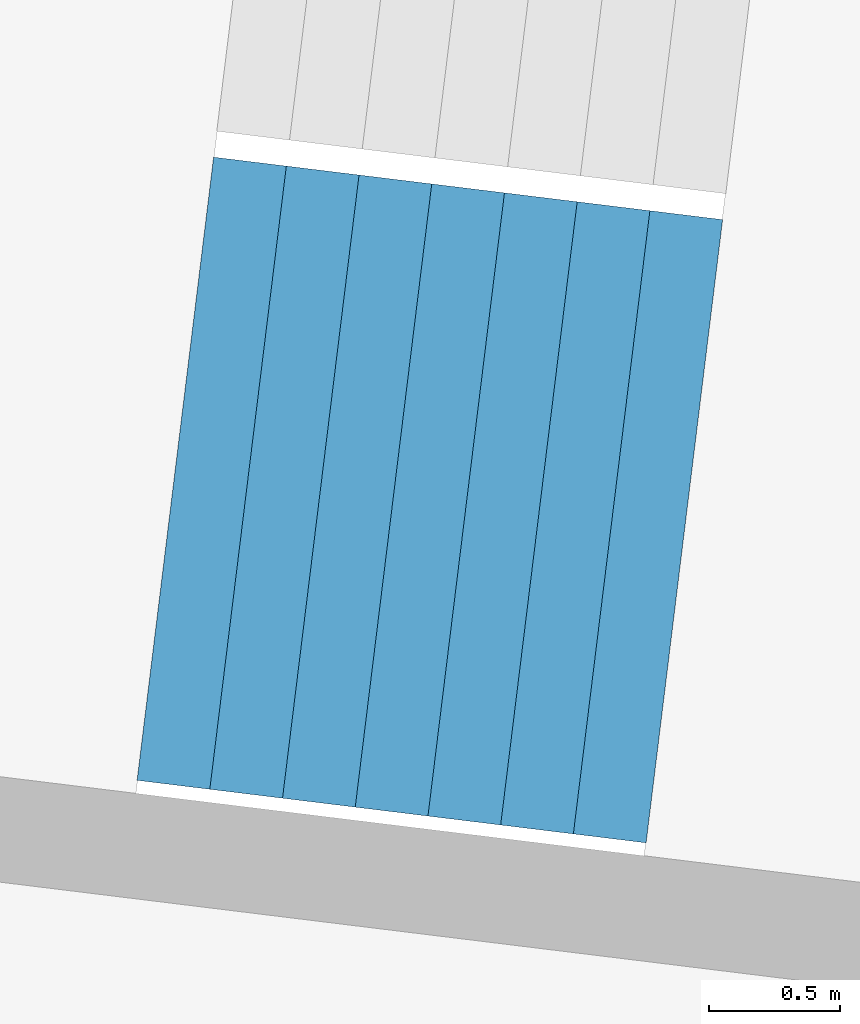
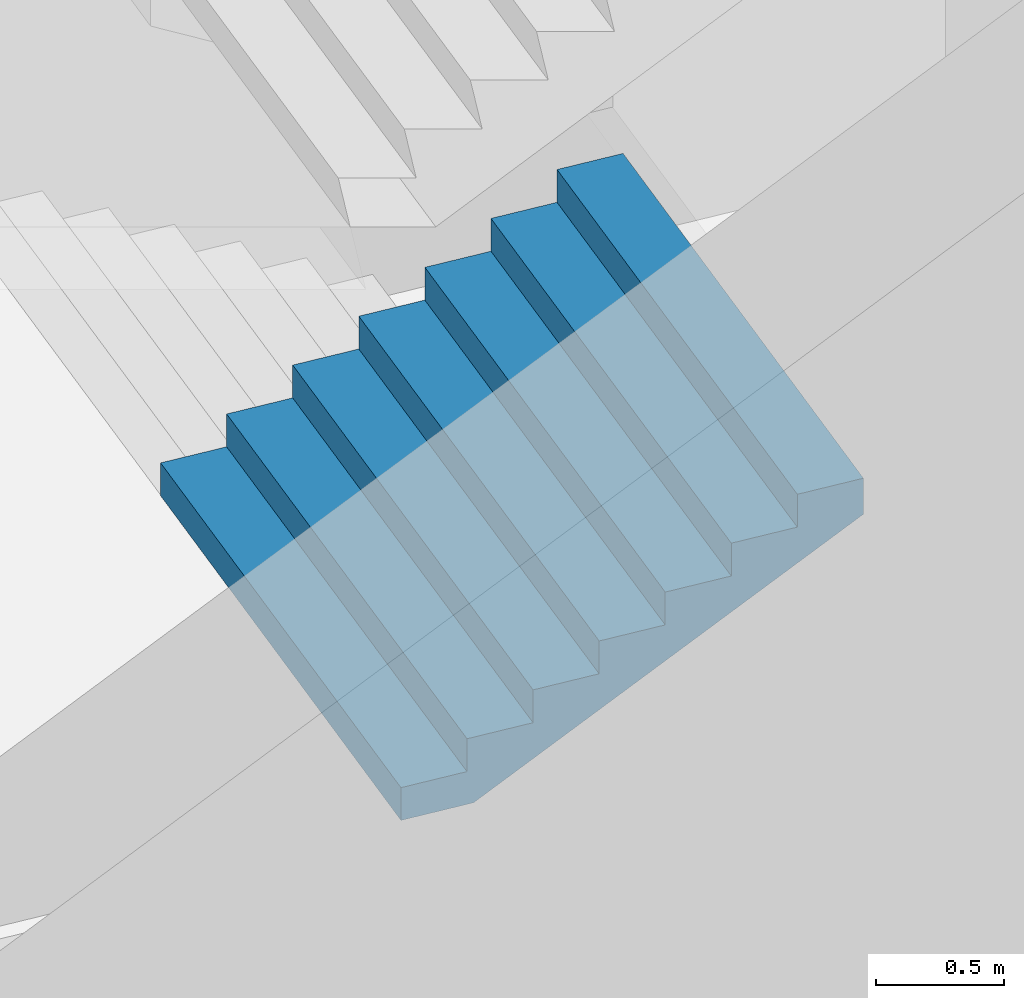
# One storey, part 27 of 73: 1 stair flight, 1 element without a shape of its own.
"""IFC4 building model written with IfcOpenShell, lengths in metres."""

from ifc_helpers import new_model, si_unit, direction, frame, origin, place, context, subcontext, project, spatial, triangles, material, type_object, element, aggregate, save


model = new_model("IFC4")

# Units and contexts
model_context = context("Model", 3, precision=1e-05, world=origin(), true_north=direction((0.0, 1.0)))
body_context = subcontext(model_context, "Body", "Model", "MODEL_VIEW")
ifc_project = project(units=[si_unit("LENGTHUNIT", "METRE"), si_unit("AREAUNIT", "SQUARE_METRE"), si_unit("VOLUMEUNIT", "CUBIC_METRE"), si_unit("PLANEANGLEUNIT", "RADIAN"), si_unit("MASSUNIT", "GRAM", prefix="KILO")], contexts=[model_context])

# Site, building, storey
site_placement = place(None, origin())
site = spatial("IfcSite", under=ifc_project, at=site_placement, CompositionType="ELEMENT")
building_placement = place(site_placement, origin())
building = spatial("IfcBuilding", under=site, at=building_placement, Name="Lantaw Convention Tower", CompositionType="ELEMENT")
storey_placement = place(building_placement, frame((0.0, 0.0, 27.0)))
storey = spatial("IfcBuildingStorey", under=building, at=storey_placement, Name="L04", CompositionType="ELEMENT", Elevation=27.0)

# Stair, stair flight
ifc_material = material(Name="Concrete C35/45", Category="concrete")
stair_type = type_object("IfcStairType", Name="Exit stair 2400 riser 156.25 in 4 flights", PredefinedType="HALF_TURN_STAIR", material=ifc_material)
stair_placement = place(storey_placement, origin())
stair = element("IfcStair", 1, at=stair_placement, inside=storey, type_object=stair_type, Name="Podium exit stair P9 L04", PredefinedType="HALF_TURN_STAIR")
stair_flight_type = type_object("IfcStairFlightType", Name="Stair flight 2400 riser 156.25", PredefinedType="STRAIGHT", material=ifc_material)
stair_flight_placement = place(storey_placement, frame((-40.2216796875, 3.67919921875, 1.25), z_axis=(0.0, 0.0, 1.0), x_axis=(0.992546151641, -0.121869343405, 0.0)))
stair_flight = element("IfcStairFlight", 2, at=stair_flight_placement, type_object=stair_flight_type, Name="P9 flight 2", NumberOfRisers=8, NumberOfTreads=7, PredefinedType="STRAIGHT", RiserHeight=0.15625, TreadLength=0.28, context=body_context, shape_type="Tessellation", body=[
    triangles([(0.0, 1.199951171875, 0.0), (0.0, 1.199951171875, 0.15625), (0.28, 1.199951171875, 0.0), (0.28, 1.199951171875, 0.15625), (0.28, 1.199951171875, 0.3125), (0.3076200632058044, 1.199951171875, 0.0), (0.3076200632058044, 1.199951171875, 0.3125), (0.56, 1.199951171875, 0.14083701830033238), (0.56, 1.199951171875, 0.3125), (0.56, 1.199951171875, 0.46875), (0.8400000000000001, 1.199951171875, 0.29708701830033235), (0.8400000000000001, 1.199951171875, 0.46875), (0.8400000000000001, 1.199951171875, 0.625), (1.12, 1.199951171875, 0.45333701830033235), (1.12, 1.199951171875, 0.625), (1.12, 1.199951171875, 0.78125), (1.4000000000000001, 1.199951171875, 0.6095870183003324), (1.4000000000000001, 1.199951171875, 0.78125), (1.4000000000000001, 1.199951171875, 0.9375), (1.6800000000000002, 1.199951171875, 0.7658370183003324), (1.6800000000000002, 1.199951171875, 0.9375), (1.6800000000000002, 1.199951171875, 1.09375), (1.9600000000000002, 1.199951171875, 0.9220870183003324), (1.9600000000000002, 1.199951171875, 1.09375), (0.0, -1.199951171875, 0.0), (0.0, -1.199951171875, 0.15625), (0.28, -1.199951171875, 0.0), (0.28, -1.199951171875, 0.15625), (0.28, -1.199951171875, 0.3125), (0.3076200632058044, -1.199951171875, 0.0), (0.3076200632058044, -1.199951171875, 0.3125), (0.56, -1.199951171875, 0.14083701830033238), (0.56, -1.199951171875, 0.3125), (0.56, -1.199951171875, 0.46875), (0.8400000000000001, -1.199951171875, 0.29708701830033235), (0.8400000000000001, -1.199951171875, 0.46875), (0.8400000000000001, -1.199951171875, 0.625), (1.12, -1.199951171875, 0.45333701830033235), (1.12, -1.199951171875, 0.625), (1.12, -1.199951171875, 0.78125), (1.4000000000000001, -1.199951171875, 0.6095870183003324), (1.4000000000000001, -1.199951171875, 0.78125), (1.4000000000000001, -1.199951171875, 0.9375), (1.6800000000000002, -1.199951171875, 0.7658370183003324), (1.6800000000000002, -1.199951171875, 0.9375), (1.6800000000000002, -1.199951171875, 1.09375), (1.9600000000000002, -1.199951171875, 0.9220870183003324), (1.9600000000000002, -1.199951171875, 1.09375), (0.0, 0.239990234375, 0.15625), (0.0, 0.239990234375, 0.0), (0.0, 0.1919921875, 0.15625), (0.0, 0.1919921875, 0.0), (0.0, 0.143994140625, 0.15625), (0.0, 0.143994140625, 0.0), (0.0, 0.09599609375, 0.15625), (0.0, 0.09599609375, 0.0), (0.0, 0.047998046875, 0.15625), (0.0, 0.047998046875, 0.0), (0.0, 0.0, 0.15625), (0.0, 0.0, 0.0), (0.0, -0.047998046875, 0.15625), (0.0, -0.047998046875, 0.0), (0.0, -0.09599609375, 0.15625), (0.0, -0.09599609375, 0.0), (0.0, -0.143994140625, 0.15625), (0.0, -0.143994140625, 0.0), (0.0, -0.1919921875, 0.15625), (0.0, -0.1919921875, 0.0), (0.0, -0.239990234375, 0.15625), (0.0, -0.239990234375, 0.0), (0.28, 0.239990234375, 0.3125), (0.28, 0.239990234375, 0.15625), (0.28, 0.1919921875, 0.3125), (0.28, 0.1919921875, 0.15625), (0.28, 0.143994140625, 0.3125), (0.28, 0.143994140625, 0.15625), (0.28, 0.09599609375, 0.3125), (0.28, 0.09599609375, 0.15625), (0.28, 0.047998046875, 0.3125), (0.28, 0.047998046875, 0.15625), (0.28, 0.0, 0.3125), (0.28, 0.0, 0.15625), (0.28, -0.047998046875, 0.3125), (0.28, -0.047998046875, 0.15625), (0.28, -0.09599609375, 0.3125), (0.28, -0.09599609375, 0.15625), (0.28, -0.143994140625, 0.3125), (0.28, -0.143994140625, 0.15625), (0.28, -0.1919921875, 0.3125), (0.28, -0.1919921875, 0.15625), (0.28, -0.239990234375, 0.3125), (0.28, -0.239990234375, 0.15625), (0.56, 0.239990234375, 0.46875), (0.56, 0.239990234375, 0.3125), (0.56, 0.1919921875, 0.46875), (0.56, 0.1919921875, 0.3125), (0.56, 0.143994140625, 0.46875), (0.56, 0.143994140625, 0.3125), (0.56, 0.09599609375, 0.46875), (0.56, 0.09599609375, 0.3125), (0.56, 0.047998046875, 0.46875), (0.56, 0.047998046875, 0.3125), (0.56, 0.0, 0.46875), (0.56, 0.0, 0.3125), (0.56, -0.047998046875, 0.46875), (0.56, -0.047998046875, 0.3125), (0.56, -0.09599609375, 0.46875), (0.56, -0.09599609375, 0.3125), (0.56, -0.143994140625, 0.46875), (0.56, -0.143994140625, 0.3125), (0.56, -0.1919921875, 0.46875), (0.56, -0.1919921875, 0.3125), (0.56, -0.239990234375, 0.46875), (0.56, -0.239990234375, 0.3125), (0.8400000000000001, 0.239990234375, 0.625), (0.8400000000000001, 0.239990234375, 0.46875), (0.8400000000000001, 0.1919921875, 0.625), (0.8400000000000001, 0.1919921875, 0.46875), (0.8400000000000001, 0.143994140625, 0.625), (0.8400000000000001, 0.143994140625, 0.46875), (0.8400000000000001, 0.09599609375, 0.625), (0.8400000000000001, 0.09599609375, 0.46875), (0.8400000000000001, 0.047998046875, 0.625), (0.8400000000000001, 0.047998046875, 0.46875), (0.8400000000000001, 0.0, 0.625), (0.8400000000000001, 0.0, 0.46875), (0.8400000000000001, -0.047998046875, 0.625), (0.8400000000000001, -0.047998046875, 0.46875), (0.8400000000000001, -0.09599609375, 0.625), (0.8400000000000001, -0.09599609375, 0.46875), (0.8400000000000001, -0.143994140625, 0.625), (0.8400000000000001, -0.143994140625, 0.46875), (0.8400000000000001, -0.1919921875, 0.625), (0.8400000000000001, -0.1919921875, 0.46875), (0.8400000000000001, -0.239990234375, 0.625), (0.8400000000000001, -0.239990234375, 0.46875), (1.12, 0.239990234375, 0.78125), (1.12, 0.239990234375, 0.625), (1.12, 0.1919921875, 0.78125), (1.12, 0.1919921875, 0.625), (1.12, 0.143994140625, 0.78125), (1.12, 0.143994140625, 0.625), (1.12, 0.09599609375, 0.78125), (1.12, 0.09599609375, 0.625), (1.12, 0.047998046875, 0.78125), (1.12, 0.047998046875, 0.625), (1.12, 0.0, 0.78125), (1.12, 0.0, 0.625), (1.12, -0.047998046875, 0.78125), (1.12, -0.047998046875, 0.625), (1.12, -0.09599609375, 0.78125), (1.12, -0.09599609375, 0.625), (1.12, -0.143994140625, 0.78125), (1.12, -0.143994140625, 0.625), (1.12, -0.1919921875, 0.78125), (1.12, -0.1919921875, 0.625), (1.12, -0.239990234375, 0.78125), (1.12, -0.239990234375, 0.625), (1.4000000000000001, 0.239990234375, 0.9375), (1.4000000000000001, 0.239990234375, 0.78125), (1.4000000000000001, 0.1919921875, 0.9375), (1.4000000000000001, 0.1919921875, 0.78125), (1.4000000000000001, 0.143994140625, 0.9375), (1.4000000000000001, 0.143994140625, 0.78125), (1.4000000000000001, 0.09599609375, 0.9375), (1.4000000000000001, 0.09599609375, 0.78125), (1.4000000000000001, 0.047998046875, 0.9375), (1.4000000000000001, 0.047998046875, 0.78125), (1.4000000000000001, 0.0, 0.9375), (1.4000000000000001, 0.0, 0.78125), (1.4000000000000001, -0.047998046875, 0.9375), (1.4000000000000001, -0.047998046875, 0.78125), (1.4000000000000001, -0.09599609375, 0.9375), (1.4000000000000001, -0.09599609375, 0.78125), (1.4000000000000001, -0.143994140625, 0.9375), (1.4000000000000001, -0.143994140625, 0.78125), (1.4000000000000001, -0.1919921875, 0.9375), (1.4000000000000001, -0.1919921875, 0.78125), (1.4000000000000001, -0.239990234375, 0.9375), (1.4000000000000001, -0.239990234375, 0.78125), (1.6800000000000002, 0.239990234375, 1.09375), (1.6800000000000002, 0.239990234375, 0.9375), (1.6800000000000002, 0.1919921875, 1.09375), (1.6800000000000002, 0.1919921875, 0.9375), (1.6800000000000002, 0.143994140625, 1.09375), (1.6800000000000002, 0.143994140625, 0.9375), (1.6800000000000002, 0.09599609375, 1.09375), (1.6800000000000002, 0.09599609375, 0.9375), (1.6800000000000002, 0.047998046875, 1.09375), (1.6800000000000002, 0.047998046875, 0.9375), (1.6800000000000002, 0.0, 1.09375), (1.6800000000000002, 0.0, 0.9375), (1.6800000000000002, -0.047998046875, 1.09375), (1.6800000000000002, -0.047998046875, 0.9375), (1.6800000000000002, -0.09599609375, 1.09375), (1.6800000000000002, -0.09599609375, 0.9375), (1.6800000000000002, -0.143994140625, 1.09375), (1.6800000000000002, -0.143994140625, 0.9375), (1.6800000000000002, -0.1919921875, 1.09375), (1.6800000000000002, -0.1919921875, 0.9375), (1.6800000000000002, -0.239990234375, 1.09375), (1.6800000000000002, -0.239990234375, 0.9375), (0.3076200632058044, 0.239990234375, 0.3125), (0.3076200632058044, 0.1919921875, 0.3125), (0.3076200632058044, 0.143994140625, 0.3125), (0.3076200632058044, 0.09599609375, 0.3125), (0.3076200632058044, 0.047998046875, 0.3125), (0.3076200632058044, 0.0, 0.3125), (0.3076200632058044, -0.047998046875, 0.3125), (0.3076200632058044, -0.09599609375, 0.3125), (0.3076200632058044, -0.143994140625, 0.3125), (0.3076200632058044, -0.1919921875, 0.3125), (0.3076200632058044, -0.239990234375, 0.3125), (1.9600000000000002, 0.239990234375, 1.09375), (1.9600000000000002, 0.1919921875, 1.09375), (1.9600000000000002, 0.143994140625, 1.09375), (1.9600000000000002, 0.09599609375, 1.09375), (1.9600000000000002, 0.047998046875, 1.09375), (1.9600000000000002, 0.0, 1.09375), (1.9600000000000002, -0.047998046875, 1.09375), (1.9600000000000002, -0.09599609375, 1.09375), (1.9600000000000002, -0.143994140625, 1.09375), (1.9600000000000002, -0.1919921875, 1.09375), (1.9600000000000002, -0.239990234375, 1.09375), (1.9600000000000002, 0.239990234375, 0.9220870183003324), (1.9600000000000002, 0.1919921875, 0.9220870183003324), (1.9600000000000002, 0.143994140625, 0.9220870183003324), (1.9600000000000002, 0.09599609375, 0.9220870183003324), (1.9600000000000002, 0.047998046875, 0.9220870183003324), (1.9600000000000002, 0.0, 0.9220870183003324), (1.9600000000000002, -0.047998046875, 0.9220870183003324), (1.9600000000000002, -0.09599609375, 0.9220870183003324), (1.9600000000000002, -0.143994140625, 0.9220870183003324), (1.9600000000000002, -0.1919921875, 0.9220870183003324), (1.9600000000000002, -0.239990234375, 0.9220870183003324), (1.6800000000000002, 0.239990234375, 0.7658370183003324), (1.6800000000000002, 0.1919921875, 0.7658370183003324), (1.6800000000000002, 0.143994140625, 0.7658370183003324), (1.6800000000000002, 0.09599609375, 0.7658370183003324), (1.6800000000000002, 0.047998046875, 0.7658370183003324), (1.6800000000000002, 0.0, 0.7658370183003324), (1.6800000000000002, -0.047998046875, 0.7658370183003324), (1.6800000000000002, -0.09599609375, 0.7658370183003324), (1.6800000000000002, -0.143994140625, 0.7658370183003324), (1.6800000000000002, -0.1919921875, 0.7658370183003324), (1.6800000000000002, -0.239990234375, 0.7658370183003324), (1.4000000000000001, 0.239990234375, 0.6095870183003324), (1.4000000000000001, 0.1919921875, 0.6095870183003324), (1.4000000000000001, 0.143994140625, 0.6095870183003324), (1.4000000000000001, 0.09599609375, 0.6095870183003324), (1.4000000000000001, 0.047998046875, 0.6095870183003324), (1.4000000000000001, 0.0, 0.6095870183003324), (1.4000000000000001, -0.047998046875, 0.6095870183003324), (1.4000000000000001, -0.09599609375, 0.6095870183003324), (1.4000000000000001, -0.143994140625, 0.6095870183003324), (1.4000000000000001, -0.1919921875, 0.6095870183003324), (1.4000000000000001, -0.239990234375, 0.6095870183003324), (1.12, 0.239990234375, 0.45333701830033235), (1.12, 0.1919921875, 0.45333701830033235), (1.12, 0.143994140625, 0.45333701830033235), (1.12, 0.09599609375, 0.45333701830033235), (1.12, 0.047998046875, 0.45333701830033235), (1.12, 0.0, 0.45333701830033235), (1.12, -0.047998046875, 0.45333701830033235), (1.12, -0.09599609375, 0.45333701830033235), (1.12, -0.143994140625, 0.45333701830033235), (1.12, -0.1919921875, 0.45333701830033235), (1.12, -0.239990234375, 0.45333701830033235), (0.8400000000000001, 0.239990234375, 0.29708701830033235), (0.8400000000000001, 0.1919921875, 0.29708701830033235), (0.8400000000000001, 0.143994140625, 0.29708701830033235), (0.8400000000000001, 0.09599609375, 0.29708701830033235), (0.8400000000000001, 0.047998046875, 0.29708701830033235), (0.8400000000000001, 0.0, 0.29708701830033235), (0.8400000000000001, -0.047998046875, 0.29708701830033235), (0.8400000000000001, -0.09599609375, 0.29708701830033235), (0.8400000000000001, -0.143994140625, 0.29708701830033235), (0.8400000000000001, -0.1919921875, 0.29708701830033235), (0.8400000000000001, -0.239990234375, 0.29708701830033235), (0.56, 0.239990234375, 0.14083701830033238), (0.56, 0.1919921875, 0.14083701830033238), (0.56, 0.143994140625, 0.14083701830033238), (0.56, 0.09599609375, 0.14083701830033238), (0.56, 0.047998046875, 0.14083701830033238), (0.56, 0.0, 0.14083701830033238), (0.56, -0.047998046875, 0.14083701830033238), (0.56, -0.09599609375, 0.14083701830033238), (0.56, -0.143994140625, 0.14083701830033238), (0.56, -0.1919921875, 0.14083701830033238), (0.56, -0.239990234375, 0.14083701830033238), (0.3076200632058044, 0.239990234375, 0.0), (0.3076200632058044, 0.1919921875, 0.0), (0.3076200632058044, 0.143994140625, 0.0), (0.3076200632058044, 0.09599609375, 0.0), (0.3076200632058044, 0.047998046875, 0.0), (0.3076200632058044, 0.0, 0.0), (0.3076200632058044, -0.047998046875, 0.0), (0.3076200632058044, -0.09599609375, 0.0), (0.3076200632058044, -0.143994140625, 0.0), (0.3076200632058044, -0.1919921875, 0.0), (0.3076200632058044, -0.239990234375, 0.0), (0.28, 0.239990234375, 0.0), (0.28, 0.1919921875, 0.0), (0.28, 0.143994140625, 0.0), (0.28, 0.09599609375, 0.0), (0.28, 0.047998046875, 0.0), (0.28, 0.0, 0.0), (0.28, -0.047998046875, 0.0), (0.28, -0.09599609375, 0.0), (0.28, -0.143994140625, 0.0), (0.28, -0.1919921875, 0.0), (0.28, -0.239990234375, 0.0)], [[1, 4, 3], [1, 2, 4], [3, 4, 6], [4, 7, 6], [4, 5, 7], [6, 9, 8], [6, 7, 9], [8, 9, 11], [9, 12, 11], [9, 10, 12], [11, 12, 14], [12, 15, 14], [12, 13, 15], [14, 15, 17], [15, 18, 17], [15, 16, 18], [17, 18, 20], [18, 21, 20], [18, 19, 21], [20, 21, 23], [21, 24, 23], [21, 22, 24], [25, 27, 28], [25, 28, 26], [27, 30, 28], [28, 30, 31], [28, 31, 29], [30, 32, 33], [30, 33, 31], [32, 35, 33], [33, 35, 36], [33, 36, 34], [35, 38, 36], [36, 38, 39], [36, 39, 37], [38, 41, 39], [39, 41, 42], [39, 42, 40], [41, 44, 42], [42, 44, 45], [42, 45, 43], [44, 47, 45], [45, 47, 48], [45, 48, 46], [1, 49, 2], [1, 50, 49], [50, 51, 49], [50, 52, 51], [52, 53, 51], [52, 54, 53], [54, 55, 53], [54, 56, 55], [56, 57, 55], [56, 58, 57], [58, 59, 57], [58, 60, 59], [60, 61, 59], [60, 62, 61], [62, 63, 61], [62, 64, 63], [64, 65, 63], [64, 66, 65], [66, 67, 65], [66, 68, 67], [68, 69, 67], [68, 70, 69], [70, 26, 69], [70, 25, 26], [4, 71, 5], [4, 72, 71], [72, 73, 71], [72, 74, 73], [74, 75, 73], [74, 76, 75], [76, 77, 75], [76, 78, 77], [78, 79, 77], [78, 80, 79], [80, 81, 79], [80, 82, 81], [82, 83, 81], [82, 84, 83], [84, 85, 83], [84, 86, 85], [86, 87, 85], [86, 88, 87], [88, 89, 87], [88, 90, 89], [90, 91, 89], [90, 92, 91], [92, 29, 91], [92, 28, 29], [9, 93, 10], [9, 94, 93], [94, 95, 93], [94, 96, 95], [96, 97, 95], [96, 98, 97], [98, 99, 97], [98, 100, 99], [100, 101, 99], [100, 102, 101], [102, 103, 101], [102, 104, 103], [104, 105, 103], [104, 106, 105], [106, 107, 105], [106, 108, 107], [108, 109, 107], [108, 110, 109], [110, 111, 109], [110, 112, 111], [112, 113, 111], [112, 114, 113], [114, 34, 113], [114, 33, 34], [12, 115, 13], [12, 116, 115], [116, 117, 115], [116, 118, 117], [118, 119, 117], [118, 120, 119], [120, 121, 119], [120, 122, 121], [122, 123, 121], [122, 124, 123], [124, 125, 123], [124, 126, 125], [126, 127, 125], [126, 128, 127], [128, 129, 127], [128, 130, 129], [130, 131, 129], [130, 132, 131], [132, 133, 131], [132, 134, 133], [134, 135, 133], [134, 136, 135], [136, 37, 135], [136, 36, 37], [15, 137, 16], [15, 138, 137], [138, 139, 137], [138, 140, 139], [140, 141, 139], [140, 142, 141], [142, 143, 141], [142, 144, 143], [144, 145, 143], [144, 146, 145], [146, 147, 145], [146, 148, 147], [148, 149, 147], [148, 150, 149], [150, 151, 149], [150, 152, 151], [152, 153, 151], [152, 154, 153], [154, 155, 153], [154, 156, 155], [156, 157, 155], [156, 158, 157], [158, 40, 157], [158, 39, 40], [18, 159, 19], [18, 160, 159], [160, 161, 159], [160, 162, 161], [162, 163, 161], [162, 164, 163], [164, 165, 163], [164, 166, 165], [166, 167, 165], [166, 168, 167], [168, 169, 167], [168, 170, 169], [170, 171, 169], [170, 172, 171], [172, 173, 171], [172, 174, 173], [174, 175, 173], [174, 176, 175], [176, 177, 175], [176, 178, 177], [178, 179, 177], [178, 180, 179], [180, 43, 179], [180, 42, 43], [21, 181, 22], [21, 182, 181], [182, 183, 181], [182, 184, 183], [184, 185, 183], [184, 186, 185], [186, 187, 185], [186, 188, 187], [188, 189, 187], [188, 190, 189], [190, 191, 189], [190, 192, 191], [192, 193, 191], [192, 194, 193], [194, 195, 193], [194, 196, 195], [196, 197, 195], [196, 198, 197], [198, 199, 197], [198, 200, 199], [200, 201, 199], [200, 202, 201], [202, 46, 201], [202, 45, 46], [2, 72, 4], [2, 49, 72], [49, 74, 72], [49, 51, 74], [51, 76, 74], [51, 53, 76], [53, 78, 76], [53, 55, 78], [55, 80, 78], [55, 57, 80], [57, 82, 80], [57, 59, 82], [59, 84, 82], [59, 61, 84], [61, 86, 84], [61, 63, 86], [63, 88, 86], [63, 65, 88], [65, 90, 88], [65, 67, 90], [67, 92, 90], [67, 69, 92], [69, 28, 92], [69, 26, 28], [5, 203, 7], [5, 71, 203], [71, 204, 203], [71, 73, 204], [73, 205, 204], [73, 75, 205], [75, 206, 205], [75, 77, 206], [77, 207, 206], [77, 79, 207], [79, 208, 207], [79, 81, 208], [81, 209, 208], [81, 83, 209], [83, 210, 209], [83, 85, 210], [85, 211, 210], [85, 87, 211], [87, 212, 211], [87, 89, 212], [89, 213, 212], [89, 91, 213], [91, 31, 213], [91, 29, 31], [7, 94, 9], [7, 203, 94], [203, 96, 94], [203, 204, 96], [204, 98, 96], [204, 205, 98], [205, 100, 98], [205, 206, 100], [206, 102, 100], [206, 207, 102], [207, 104, 102], [207, 208, 104], [208, 106, 104], [208, 209, 106], [209, 108, 106], [209, 210, 108], [210, 110, 108], [210, 211, 110], [211, 112, 110], [211, 212, 112], [212, 114, 112], [212, 213, 114], [213, 33, 114], [213, 31, 33], [10, 116, 12], [10, 93, 116], [93, 118, 116], [93, 95, 118], [95, 120, 118], [95, 97, 120], [97, 122, 120], [97, 99, 122], [99, 124, 122], [99, 101, 124], [101, 126, 124], [101, 103, 126], [103, 128, 126], [103, 105, 128], [105, 130, 128], [105, 107, 130], [107, 132, 130], [107, 109, 132], [109, 134, 132], [109, 111, 134], [111, 136, 134], [111, 113, 136], [113, 36, 136], [113, 34, 36], [13, 138, 15], [13, 115, 138], [115, 140, 138], [115, 117, 140], [117, 142, 140], [117, 119, 142], [119, 144, 142], [119, 121, 144], [121, 146, 144], [121, 123, 146], [123, 148, 146], [123, 125, 148], [125, 150, 148], [125, 127, 150], [127, 152, 150], [127, 129, 152], [129, 154, 152], [129, 131, 154], [131, 156, 154], [131, 133, 156], [133, 158, 156], [133, 135, 158], [135, 39, 158], [135, 37, 39], [16, 160, 18], [16, 137, 160], [137, 162, 160], [137, 139, 162], [139, 164, 162], [139, 141, 164], [141, 166, 164], [141, 143, 166], [143, 168, 166], [143, 145, 168], [145, 170, 168], [145, 147, 170], [147, 172, 170], [147, 149, 172], [149, 174, 172], [149, 151, 174], [151, 176, 174], [151, 153, 176], [153, 178, 176], [153, 155, 178], [155, 180, 178], [155, 157, 180], [157, 42, 180], [157, 40, 42], [19, 182, 21], [19, 159, 182], [159, 184, 182], [159, 161, 184], [161, 186, 184], [161, 163, 186], [163, 188, 186], [163, 165, 188], [165, 190, 188], [165, 167, 190], [167, 192, 190], [167, 169, 192], [169, 194, 192], [169, 171, 194], [171, 196, 194], [171, 173, 196], [173, 198, 196], [173, 175, 198], [175, 200, 198], [175, 177, 200], [177, 202, 200], [177, 179, 202], [179, 45, 202], [179, 43, 45], [22, 214, 24], [22, 181, 214], [181, 215, 214], [181, 183, 215], [183, 216, 215], [183, 185, 216], [185, 217, 216], [185, 187, 217], [187, 218, 217], [187, 189, 218], [189, 219, 218], [189, 191, 219], [191, 220, 219], [191, 193, 220], [193, 221, 220], [193, 195, 221], [195, 222, 221], [195, 197, 222], [197, 223, 222], [197, 199, 223], [199, 224, 223], [199, 201, 224], [201, 48, 224], [201, 46, 48], [24, 225, 23], [24, 214, 225], [214, 226, 225], [214, 215, 226], [215, 227, 226], [215, 216, 227], [216, 228, 227], [216, 217, 228], [217, 229, 228], [217, 218, 229], [218, 230, 229], [218, 219, 230], [219, 231, 230], [219, 220, 231], [220, 232, 231], [220, 221, 232], [221, 233, 232], [221, 222, 233], [222, 234, 233], [222, 223, 234], [223, 235, 234], [223, 224, 235], [224, 47, 235], [224, 48, 47], [23, 236, 20], [23, 225, 236], [225, 237, 236], [225, 226, 237], [226, 238, 237], [226, 227, 238], [227, 239, 238], [227, 228, 239], [228, 240, 239], [228, 229, 240], [229, 241, 240], [229, 230, 241], [230, 242, 241], [230, 231, 242], [231, 243, 242], [231, 232, 243], [232, 244, 243], [232, 233, 244], [233, 245, 244], [233, 234, 245], [234, 246, 245], [234, 235, 246], [235, 44, 246], [235, 47, 44], [20, 247, 17], [20, 236, 247], [236, 248, 247], [236, 237, 248], [237, 249, 248], [237, 238, 249], [238, 250, 249], [238, 239, 250], [239, 251, 250], [239, 240, 251], [240, 252, 251], [240, 241, 252], [241, 253, 252], [241, 242, 253], [242, 254, 253], [242, 243, 254], [243, 255, 254], [243, 244, 255], [244, 256, 255], [244, 245, 256], [245, 257, 256], [245, 246, 257], [246, 41, 257], [246, 44, 41], [17, 258, 14], [17, 247, 258], [247, 259, 258], [247, 248, 259], [248, 260, 259], [248, 249, 260], [249, 261, 260], [249, 250, 261], [250, 262, 261], [250, 251, 262], [251, 263, 262], [251, 252, 263], [252, 264, 263], [252, 253, 264], [253, 265, 264], [253, 254, 265], [254, 266, 265], [254, 255, 266], [255, 267, 266], [255, 256, 267], [256, 268, 267], [256, 257, 268], [257, 38, 268], [257, 41, 38], [14, 269, 11], [14, 258, 269], [258, 270, 269], [258, 259, 270], [259, 271, 270], [259, 260, 271], [260, 272, 271], [260, 261, 272], [261, 273, 272], [261, 262, 273], [262, 274, 273], [262, 263, 274], [263, 275, 274], [263, 264, 275], [264, 276, 275], [264, 265, 276], [265, 277, 276], [265, 266, 277], [266, 278, 277], [266, 267, 278], [267, 279, 278], [267, 268, 279], [268, 35, 279], [268, 38, 35], [11, 280, 8], [11, 269, 280], [269, 281, 280], [269, 270, 281], [270, 282, 281], [270, 271, 282], [271, 283, 282], [271, 272, 283], [272, 284, 283], [272, 273, 284], [273, 285, 284], [273, 274, 285], [274, 286, 285], [274, 275, 286], [275, 287, 286], [275, 276, 287], [276, 288, 287], [276, 277, 288], [277, 289, 288], [277, 278, 289], [278, 290, 289], [278, 279, 290], [279, 32, 290], [279, 35, 32], [8, 291, 6], [8, 280, 291], [280, 292, 291], [280, 281, 292], [281, 293, 292], [281, 282, 293], [282, 294, 293], [282, 283, 294], [283, 295, 294], [283, 284, 295], [284, 296, 295], [284, 285, 296], [285, 297, 296], [285, 286, 297], [286, 298, 297], [286, 287, 298], [287, 299, 298], [287, 288, 299], [288, 300, 299], [288, 289, 300], [289, 301, 300], [289, 290, 301], [290, 30, 301], [290, 32, 30], [6, 302, 3], [6, 291, 302], [291, 303, 302], [291, 292, 303], [292, 304, 303], [292, 293, 304], [293, 305, 304], [293, 294, 305], [294, 306, 305], [294, 295, 306], [295, 307, 306], [295, 296, 307], [296, 308, 307], [296, 297, 308], [297, 309, 308], [297, 298, 309], [298, 310, 309], [298, 299, 310], [299, 311, 310], [299, 300, 311], [300, 312, 311], [300, 301, 312], [301, 27, 312], [301, 30, 27], [3, 50, 1], [3, 302, 50], [302, 52, 50], [302, 303, 52], [303, 54, 52], [303, 304, 54], [304, 56, 54], [304, 305, 56], [305, 58, 56], [305, 306, 58], [306, 60, 58], [306, 307, 60], [307, 62, 60], [307, 308, 62], [308, 64, 62], [308, 309, 64], [309, 66, 64], [309, 310, 66], [310, 68, 66], [310, 311, 68], [311, 70, 68], [311, 312, 70], [312, 25, 70], [312, 27, 25]], closed=True),
])
aggregate(stair, [stair_flight])

save(model, "model.ifc")
